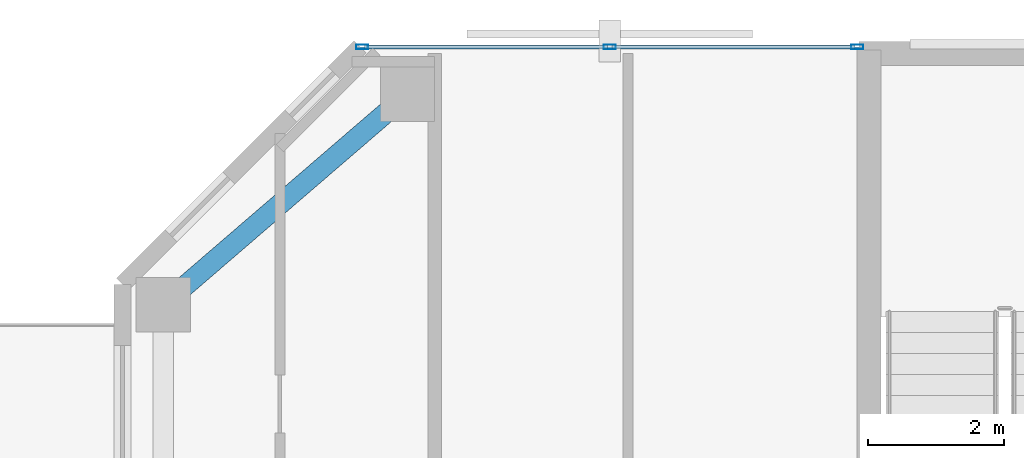
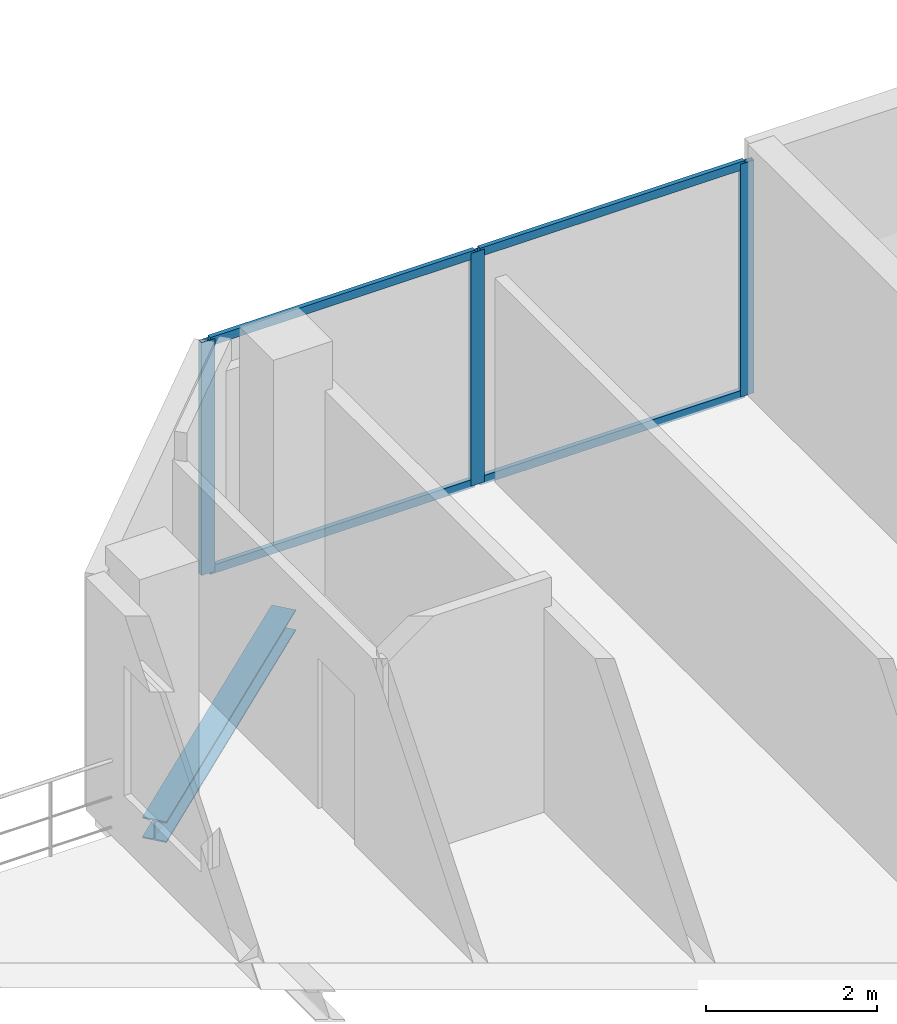
# One storey, part 15 of 23: 7 members, 1 beam, 1 element without a shape of its own.
"""IFC4 building model written with IfcOpenShell, lengths in metres."""

from ifc_helpers import new_model, si_unit, direction, frame, origin, origin_2d, place, context, subcontext, project, spatial, hollow_rectangle, i_section, extrude, material, layer, layer_set, material_profile, profile_set, type_object, element, aggregate, save


model = new_model("IFC4")

# Units and contexts
model_context = context("Model", 3, precision=1e-05, world=origin(), true_north=direction((0.0, 1.0)))
body_context = subcontext(model_context, "Body", "Model", "MODEL_VIEW")
ifc_project = project(units=[si_unit("LENGTHUNIT", "METRE"), si_unit("AREAUNIT", "SQUARE_METRE"), si_unit("VOLUMEUNIT", "CUBIC_METRE"), si_unit("PLANEANGLEUNIT", "RADIAN"), si_unit("MASSUNIT", "GRAM", prefix="KILO")], contexts=[model_context])

# Site, building, storey
site_placement = place(None, origin())
site = spatial("IfcSite", under=ifc_project, at=site_placement, CompositionType="ELEMENT")
building_placement = place(site_placement, origin())
building = spatial("IfcBuilding", under=site, at=building_placement, Name="Catumbela Crestline Tower", CompositionType="ELEMENT")
storey_placement = place(building_placement, frame((0.0, 0.0, 186.6)))
storey = spatial("IfcBuildingStorey", under=building, at=storey_placement, Name="L48", CompositionType="ELEMENT", Elevation=186.6)

# Curtain wall, members
ifc_material_1 = material(Name="Aluminium alloy AW-6060-T66", Category="aluminium")
ifc_layer = layer(ifc_material_1, 0.18, Name="Aluminium alloy AW-6060-T66")
ifc_layer_set = layer_set([ifc_layer], Name="Aluminium alloy AW-6060-T66")
curtain_wall_type = type_object("IfcCurtainWallType", Name="CWU-Z3", PredefinedType="USERDEFINED", material=ifc_layer_set)
curtain_wall_placement = place(storey_placement, origin())
curtain_wall = element("IfcCurtainWall", 1, at=curtain_wall_placement, inside=storey, type_object=curtain_wall_type, Name="L48 Unitised Curtain Wall CW-L48-E7S2", ObjectType="UNITISED", PredefinedType="USERDEFINED")
ifc_material_profile_1 = material_profile(ifc_material_1, hollow_rectangle(XDim=0.065, YDim=0.18, WallThickness=0.004, at=origin_2d()), Name="ALU 180x65x4")
ifc_profile_set_1 = profile_set([ifc_material_profile_1], Name="Aluminium alloy AW-6060-T66")
member_type_1 = type_object("IfcMemberType", Name="MUL-180X65", PredefinedType="MULLION", material=ifc_profile_set_1)
member_1_placement = place(storey_placement, frame((15.8275, 43.0, 0.0), z_axis=(0.0, 0.0, 1.0), x_axis=(0.0, -1.0, 0.0)))
member_1 = element("IfcMember", 2, at=member_1_placement, type_object=member_type_1, Name="CWU-Z3 mullion 1", PredefinedType="MULLION", context=body_context, shape_type="SweptSolid", body=[
    extrude(hollow_rectangle(XDim=0.065, YDim=0.18, WallThickness=0.004, at=origin_2d()), origin(), (0.0, 0.0, 1.0), 3.33),
])
member_2_placement = place(storey_placement, frame((12.18, 43.0, 0.0), z_axis=(0.0, 0.0, 1.0), x_axis=(0.0, -1.0, 0.0)))
member_2 = element("IfcMember", 3, at=member_2_placement, type_object=member_type_1, Name="CWU-Z3 mullion 2", PredefinedType="MULLION", context=body_context, shape_type="SweptSolid", body=[
    extrude(hollow_rectangle(XDim=0.065, YDim=0.18, WallThickness=0.004, at=origin_2d()), origin(), (0.0, 0.0, 1.0), 3.33),
])
member_3_placement = place(storey_placement, frame((8.5325, 43.0, 0.0), z_axis=(0.0, 0.0, 1.0), x_axis=(0.0, -1.0, 0.0)))
member_3 = element("IfcMember", 4, at=member_3_placement, type_object=member_type_1, Name="CWU-Z3 mullion 3", PredefinedType="MULLION", context=body_context, shape_type="SweptSolid", body=[
    extrude(hollow_rectangle(XDim=0.065, YDim=0.18, WallThickness=0.004, at=origin_2d()), origin(), (0.0, 0.0, 1.0), 3.33),
])

# Beam
ifc_material_2 = material(Name="Structural steel S355J2", Category="steel")
ifc_material_profile_2 = material_profile(ifc_material_2, i_section(OverallWidth=0.3, OverallDepth=0.3, WebThickness=0.011, FlangeThickness=0.019, FilletRadius=0.027, at=origin_2d()), Name="HEB 300")
ifc_profile_set_2 = profile_set([ifc_material_profile_2], Name="Structural steel S355J2")
beam_type = type_object("IfcBeamType", Name="BS-HEB300", PredefinedType="SPANDREL", material=ifc_profile_set_2)
beam_placement = place(storey_placement, frame((5.6606, 39.2522, -0.41), z_axis=(0.757772392559, 0.652518966066, 0.0), x_axis=(-0.652518966066, 0.757772392559, 0.0)))
element("IfcBeam", 5, at=beam_placement, inside=storey, type_object=beam_type, Name="L48 Spandrel SP-L48-N10", PredefinedType="SPANDREL", context=body_context, shape_type="SweptSolid", body=[
    extrude(i_section(OverallWidth=0.3, OverallDepth=0.3, WebThickness=0.011, FlangeThickness=0.019, FilletRadius=0.027, at=origin_2d()), origin(), (0.0, 0.0, 1.0), 4.5908),
])

# Member
ifc_material_profile_3 = material_profile(ifc_material_1, hollow_rectangle(XDim=0.06, YDim=0.12, WallThickness=0.0035, at=origin_2d()), Name="ALU 120x60x3.5")
ifc_profile_set_3 = profile_set([ifc_material_profile_3], Name="Aluminium alloy AW-6060-T66")
member_type_2 = type_object("IfcMemberType", Name="TRN-120X60", PredefinedType="USERDEFINED", material=ifc_profile_set_3)
member_4_placement = place(storey_placement, frame((15.795, 43.0, 0.03), z_axis=(-1.0, 0.0, 0.0), x_axis=(0.0, -1.0, 0.0)))
member_4 = element("IfcMember", 6, at=member_4_placement, type_object=member_type_2, Name="CWU-Z3 transom 1.1", ObjectType="TRANSOM", PredefinedType="USERDEFINED", context=body_context, shape_type="SweptSolid", body=[
    extrude(hollow_rectangle(XDim=0.06, YDim=0.12, WallThickness=0.0035, at=origin_2d()), origin(), (0.0, 0.0, 1.0), 3.5825),
])

member_5_placement = place(storey_placement, frame((15.795, 43.0, 3.3), z_axis=(-1.0, 0.0, 0.0), x_axis=(0.0, -1.0, 0.0)))
member_5 = element("IfcMember", 7, at=member_5_placement, type_object=member_type_2, Name="CWU-Z3 transom 1.2", ObjectType="TRANSOM", PredefinedType="USERDEFINED", context=body_context, shape_type="SweptSolid", body=[
    extrude(hollow_rectangle(XDim=0.06, YDim=0.12, WallThickness=0.0035, at=origin_2d()), origin(), (0.0, 0.0, 1.0), 3.5825),
])

member_6_placement = place(storey_placement, frame((12.1475, 43.0, 0.03), z_axis=(-1.0, 0.0, 0.0), x_axis=(0.0, -1.0, 0.0)))
member_6 = element("IfcMember", 8, at=member_6_placement, type_object=member_type_2, Name="CWU-Z3 transom 2.1", ObjectType="TRANSOM", PredefinedType="USERDEFINED", context=body_context, shape_type="SweptSolid", body=[
    extrude(hollow_rectangle(XDim=0.06, YDim=0.12, WallThickness=0.0035, at=origin_2d()), origin(), (0.0, 0.0, 1.0), 3.5825),
])

member_7_placement = place(storey_placement, frame((12.1475, 43.0, 3.3), z_axis=(-1.0, 0.0, 0.0), x_axis=(0.0, -1.0, 0.0)))
member_7 = element("IfcMember", 9, at=member_7_placement, type_object=member_type_2, Name="CWU-Z3 transom 2.2", ObjectType="TRANSOM", PredefinedType="USERDEFINED", context=body_context, shape_type="SweptSolid", body=[
    extrude(hollow_rectangle(XDim=0.06, YDim=0.12, WallThickness=0.0035, at=origin_2d()), origin(), (0.0, 0.0, 1.0), 3.5825),
])

aggregate(curtain_wall, [member_1, member_2, member_3, member_4, member_5, member_6, member_7])

save(model, "model.ifc")
